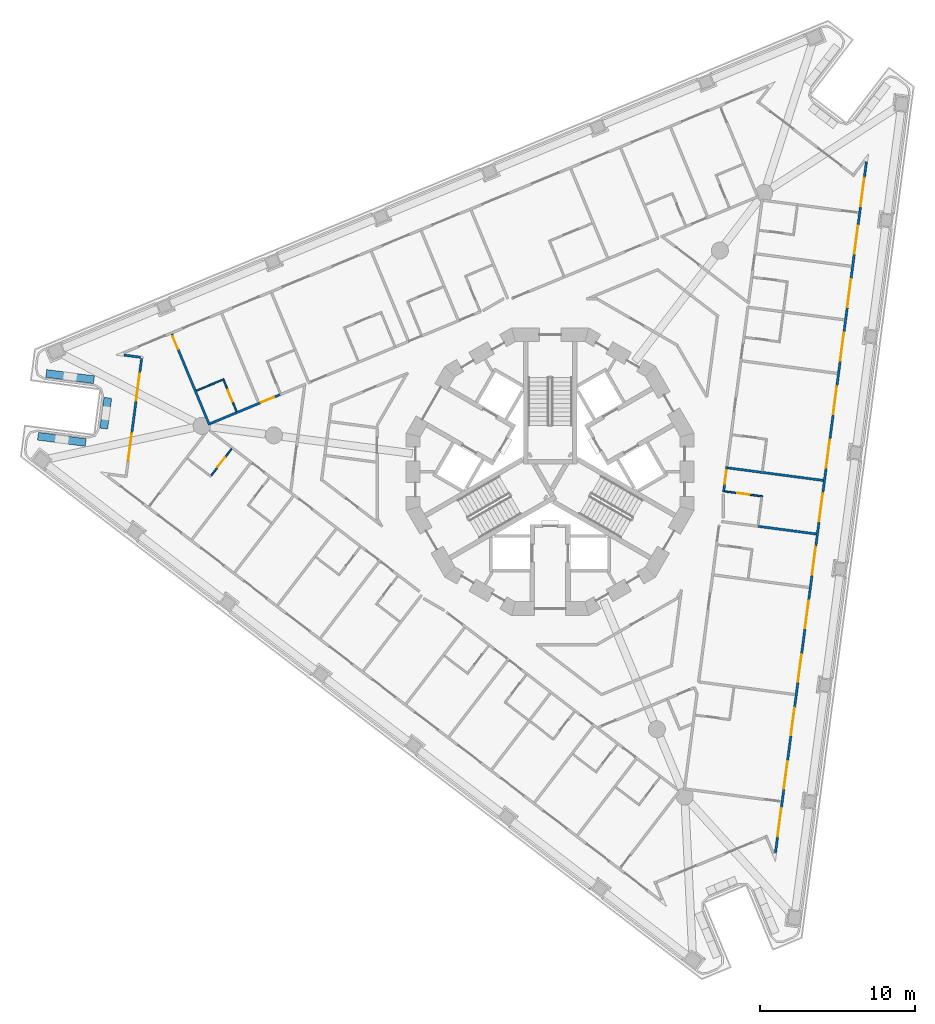
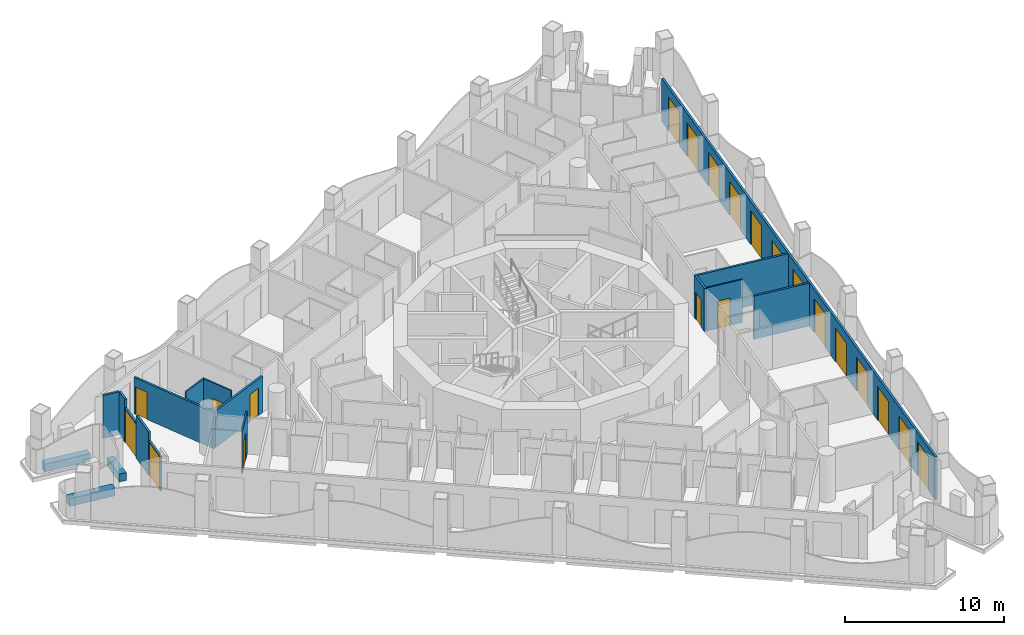
# One storey, part 6 of 18: 21 doors, 18 walls, 21 openings.
"""IFC4 building model written with IfcOpenShell, lengths in metres."""

from ifc_helpers import new_model, si_unit, direction, frame, frame_2d, origin, place, context, subcontext, project, spatial, polyline, rectangle, outline, extrude, material, layer, layer_set, type_object, element, fill, save


model = new_model("IFC4")

# Units and contexts
model_context = context("Model", 3, precision=1e-05, world=origin(), true_north=direction((0.0, 1.0)))
body_context = subcontext(model_context, "Body", "Model", "MODEL_VIEW")
ifc_project = project(units=[si_unit("LENGTHUNIT", "METRE"), si_unit("AREAUNIT", "SQUARE_METRE"), si_unit("VOLUMEUNIT", "CUBIC_METRE"), si_unit("PLANEANGLEUNIT", "RADIAN"), si_unit("MASSUNIT", "GRAM", prefix="KILO")], contexts=[model_context])

# Site, building, storey
site_placement = place(None, origin())
site = spatial("IfcSite", under=ifc_project, at=site_placement, CompositionType="ELEMENT")
building_placement = place(site_placement, origin())
building = spatial("IfcBuilding", under=site, at=building_placement, Name="Trine Commons Tower", CompositionType="ELEMENT")
storey_placement = place(building_placement, frame((0.0, 0.0, 145.800048828125)))
storey = spatial("IfcBuildingStorey", under=building, at=storey_placement, Name="L37", CompositionType="ELEMENT", Elevation=145.800048828125)

# Wall, opening, door
ifc_material_1 = material(Name="Aluminium-framed insulated wall panel", Category="aluminium")
ifc_layer_1 = layer(ifc_material_1, 0.14990234375)
ifc_layer_set_1 = layer_set([ifc_layer_1], Name="Aluminium-framed insulated wall panel")
wall_type_1 = type_object("IfcWallType", Name="Glazed frame wall 150, EI 60", PredefinedType="SOLIDWALL", material=ifc_layer_set_1)
wall_1_placement = place(storey_placement, frame((52.811279296875, 63.154296875, 0.0), z_axis=(0.0, 0.0, 1.0), x_axis=(0.130547578832, 0.991442045538, 0.0)))
wall_1 = element("IfcWall", 1, at=wall_1_placement, inside=storey, type_object=wall_type_1, Name="Glazed frame wall P1.2", PredefinedType="SOLIDWALL", context=body_context, shape_type="SweptSolid", body=[
    extrude(outline(polyline([(0.0, -0.074951171875), (1.89990234375, -0.074951171875), (1.89990234375, 0.074951171875), (0.0, 0.074951171875), (0.0, -0.074951171875)])), origin(), (0.0, 0.0, 1.0), 2.64990234375),
])
opening_1_placement = place(wall_1_placement, frame((0.050048828125, 0.0, 0.0)))
opening_1 = element("IfcOpeningElement", 2, at=opening_1_placement, cuts=wall_1, Name="Opening BD-4P1-01", PredefinedType="OPENING", context=body_context, shape_type="SweptSolid", body=[
    extrude(rectangle(XDim=1.800048828125, YDim=2.60009765625, at=frame_2d((0.89990234375, 1.300048828125))), frame((0.0, 0.0849609375, 0.0), z_axis=(0.0, -1.0, 0.0), x_axis=(1.0, 0.0, 0.0)), (0.0, 0.0, 1.0), 0.169921875),
])
ifc_material_2 = material(Name="Anodised aluminium frame with double glazing", Category="aluminium")
door_type_1 = type_object("IfcDoorType", Name="Sliding loggia door 1800x2600", OperationType="SLIDING_TO_LEFT", PredefinedType="DOOR", material=ifc_material_2)
door_1_placement = place(opening_1_placement, origin())
door_1 = element("IfcDoor", 3, at=door_1_placement, inside=storey, type_object=door_type_1, Name="Loggia door P1 1", OperationType="SLIDING_TO_LEFT", OverallHeight=2.60009765625, OverallWidth=1.800048828125, PredefinedType="DOOR", context=body_context, shape_type="SweptSolid", body=[
    extrude(rectangle(XDim=1.800048828125, YDim=2.60009765625, at=frame_2d((0.89990234375, 1.300048828125))), frame((0.0, 0.02490234375, 0.0), z_axis=(0.0, -1.0, 0.0), x_axis=(1.0, 0.0, 0.0)), (0.0, 0.0, 1.0), 0.050048828125),
])
fill(opening_1, door_1)

# Wall
wall_2_placement = place(storey_placement, frame((53.059326171875, 65.0380859375, 0.0), z_axis=(0.0, 0.0, 1.0), x_axis=(0.130492404742, 0.991449308994, 0.0)))
element("IfcWall", 4, at=wall_2_placement, inside=storey, type_object=wall_type_1, Name="Glazed frame wall P1.3", PredefinedType="SOLIDWALL", context=body_context, shape_type="SweptSolid", body=[
    extrude(outline(polyline([(0.0, -0.074951171875), (2.0, -0.074951171875), (2.0, 0.074951171875), (0.0, 0.074951171875), (0.0, -0.074951171875)])), origin(), (0.0, 0.0, 1.0), 3.300048828125),
])

# Wall, opening, door
wall_3_placement = place(storey_placement, frame((53.3203125, 67.02099609375, 0.0), z_axis=(0.0, 0.0, 1.0), x_axis=(0.130547578832, 0.991442045538, 0.0)))
wall_3 = element("IfcWall", 5, at=wall_3_placement, inside=storey, type_object=wall_type_1, Name="Glazed frame wall P1.4", PredefinedType="SOLIDWALL", context=body_context, shape_type="SweptSolid", body=[
    extrude(outline(polyline([(0.0, -0.074951171875), (1.89990234375, -0.074951171875), (1.89990234375, 0.074951171875), (0.0, 0.074951171875), (0.0, -0.074951171875)])), origin(), (0.0, 0.0, 1.0), 2.64990234375),
])
opening_2_placement = place(wall_3_placement, frame((0.050048828125, 0.0, 0.0)))
opening_2 = element("IfcOpeningElement", 6, at=opening_2_placement, cuts=wall_3, Name="Opening BD-4P1-02", PredefinedType="OPENING", context=body_context, shape_type="SweptSolid", body=[
    extrude(rectangle(XDim=1.800048828125, YDim=2.60009765625, at=frame_2d((0.89990234375, 1.300048828125))), frame((0.0, 0.0849609375, 0.0), z_axis=(0.0, -1.0, 0.0), x_axis=(1.0, 0.0, 0.0)), (0.0, 0.0, 1.0), 0.169921875),
])
door_2_placement = place(opening_2_placement, origin())
door_2 = element("IfcDoor", 7, at=door_2_placement, inside=storey, type_object=door_type_1, Name="Loggia door P1 2", OperationType="SLIDING_TO_LEFT", OverallHeight=2.60009765625, OverallWidth=1.800048828125, PredefinedType="DOOR", context=body_context, shape_type="SweptSolid", body=[
    extrude(rectangle(XDim=1.800048828125, YDim=2.60009765625, at=frame_2d((0.89990234375, 1.300048828125))), frame((0.0, 0.02490234375, 0.0), z_axis=(0.0, -1.0, 0.0), x_axis=(1.0, 0.0, 0.0)), (0.0, 0.0, 1.0), 0.050048828125),
])
fill(opening_2, door_2)

# Walls
wall_4_placement = place(storey_placement, frame((53.568359375, 68.90478515625, 0.0), z_axis=(0.0, 0.0, 1.0), x_axis=(0.130612392842, 0.991433509034, 0.0)))
element("IfcWall", 8, at=wall_4_placement, inside=storey, type_object=wall_type_1, Name="Glazed frame wall P1.5", PredefinedType="SOLIDWALL", context=body_context, shape_type="SweptSolid", body=[
    extrude(outline(polyline([(0.889892578125, 0.074951171875), (0.0, 0.074951171875), (0.0, -0.074951171875), (0.889892578125, -0.074951171875), (0.889892578125, 0.074951171875)])), origin(), (0.0, 0.0, 1.0), 3.300048828125),
])
wall_5_placement = place(storey_placement, frame((53.72900390625, 69.85693359375, 0.0), z_axis=(0.0, 0.0, 1.0), x_axis=(-0.991446880033, 0.130510858064, 0.0)))
element("IfcWall", 9, at=wall_5_placement, inside=storey, type_object=wall_type_1, Name="Glazed frame wall R3", PredefinedType="SOLIDWALL", context=body_context, shape_type="SweptSolid", body=[
    extrude(outline(polyline([(0.110107421875, 0.074951171875), (0.110107421875, -0.074951171875), (1.19580078125, -0.074951171875), (1.19580078125, 0.074951171875), (0.110107421875, 0.074951171875)])), origin(), (0.0, 0.0, 1.0), 3.300048828125),
])

# Wall, openings, doors
wall_6_placement = place(storey_placement, frame((100.387939453125, 82.614013671875, 0.0), z_axis=(0.0, 0.0, 1.0), x_axis=(-0.130522128443, -0.991445396372, 0.0)))
wall_6 = element("IfcWall", 10, at=wall_6_placement, inside=storey, type_object=wall_type_1, Name="Glazed frame wall F2", PredefinedType="SOLIDWALL", context=body_context, shape_type="SweptSolid", body=[
    extrude(outline(polyline([(0.1494140625, 0.074951171875), (0.1494140625, -0.074951171875), (45.056884765625, -0.074951171875), (45.056884765625, 0.074951171875), (0.1494140625, 0.074951171875)])), origin(), (0.0, 0.0, 1.0), 3.300048828125),
])
opening_3_placement = place(wall_6_placement, frame((1.23876953125, 0.0, 0.0)))
opening_3 = element("IfcOpeningElement", 11, at=opening_3_placement, cuts=wall_6, Name="Opening BD-4F2-01", PredefinedType="OPENING", context=body_context, shape_type="SweptSolid", body=[
    extrude(rectangle(XDim=1.800048828125, YDim=2.60009765625, at=frame_2d((0.89990234375, 1.300048828125))), frame((0.0, 0.0849609375, 0.0), z_axis=(0.0, -1.0, 0.0), x_axis=(1.0, 0.0, 0.0)), (0.0, 0.0, 1.0), 0.169921875),
])
opening_4_placement = place(wall_6_placement, frame((4.316162109375, 0.0, 0.0)))
opening_4 = element("IfcOpeningElement", 12, at=opening_4_placement, cuts=wall_6, Name="Opening BD-4F2-02", PredefinedType="OPENING", context=body_context, shape_type="SweptSolid", body=[
    extrude(rectangle(XDim=1.800048828125, YDim=2.60009765625, at=frame_2d((0.89990234375, 1.300048828125))), frame((0.0, 0.0849609375, 0.0), z_axis=(0.0, -1.0, 0.0), x_axis=(1.0, 0.0, 0.0)), (0.0, 0.0, 1.0), 0.169921875),
])
opening_5_placement = place(wall_6_placement, frame((7.79345703125, 0.0, 0.0)))
opening_5 = element("IfcOpeningElement", 13, at=opening_5_placement, cuts=wall_6, Name="Opening BD-4F2-03", PredefinedType="OPENING", context=body_context, shape_type="SweptSolid", body=[
    extrude(rectangle(XDim=1.800048828125, YDim=2.60009765625, at=frame_2d((0.89990234375, 1.300048828125))), frame((0.0, 0.0849609375, 0.0), z_axis=(0.0, -1.0, 0.0), x_axis=(1.0, 0.0, 0.0)), (0.0, 0.0, 1.0), 0.169921875),
])
opening_6_placement = place(wall_6_placement, frame((11.27099609375, 0.0, 0.0)))
opening_6 = element("IfcOpeningElement", 14, at=opening_6_placement, cuts=wall_6, Name="Opening BD-4F2-04", PredefinedType="OPENING", context=body_context, shape_type="SweptSolid", body=[
    extrude(rectangle(XDim=1.800048828125, YDim=2.60009765625, at=frame_2d((0.89990234375, 1.300048828125))), frame((0.0, 0.0849609375, 0.0), z_axis=(0.0, -1.0, 0.0), x_axis=(1.0, 0.0, 0.0)), (0.0, 0.0, 1.0), 0.169921875),
])
opening_7_placement = place(wall_6_placement, frame((14.748291015625, 0.0, 0.0)))
opening_7 = element("IfcOpeningElement", 15, at=opening_7_placement, cuts=wall_6, Name="Opening BD-4F2-05", PredefinedType="OPENING", context=body_context, shape_type="SweptSolid", body=[
    extrude(rectangle(XDim=1.800048828125, YDim=2.60009765625, at=frame_2d((0.89990234375, 1.300048828125))), frame((0.0, 0.0849609375, 0.0), z_axis=(0.0, -1.0, 0.0), x_axis=(1.0, 0.0, 0.0)), (0.0, 0.0, 1.0), 0.169921875),
])
opening_8_placement = place(wall_6_placement, frame((18.2255859375, 0.0, 0.0)))
opening_8 = element("IfcOpeningElement", 16, at=opening_8_placement, cuts=wall_6, Name="Opening BD-4F2-06", PredefinedType="OPENING", context=body_context, shape_type="SweptSolid", body=[
    extrude(rectangle(XDim=1.800048828125, YDim=2.60009765625, at=frame_2d((0.89990234375, 1.300048828125))), frame((0.0, 0.0849609375, 0.0), z_axis=(0.0, -1.0, 0.0), x_axis=(1.0, 0.0, 0.0)), (0.0, 0.0, 1.0), 0.169921875),
])
opening_9_placement = place(wall_6_placement, frame((21.703125, 0.0, 0.0)))
opening_9 = element("IfcOpeningElement", 17, at=opening_9_placement, cuts=wall_6, Name="Opening BD-4F2-07", PredefinedType="OPENING", context=body_context, shape_type="SweptSolid", body=[
    extrude(rectangle(XDim=1.800048828125, YDim=2.60009765625, at=frame_2d((0.89990234375, 1.300048828125))), frame((0.0, 0.0849609375, 0.0), z_axis=(0.0, -1.0, 0.0), x_axis=(1.0, 0.0, 0.0)), (0.0, 0.0, 1.0), 0.169921875),
])
opening_10_placement = place(wall_6_placement, frame((25.180419921875, 0.0, 0.0)))
opening_10 = element("IfcOpeningElement", 18, at=opening_10_placement, cuts=wall_6, Name="Opening BD-4F2-08", PredefinedType="OPENING", context=body_context, shape_type="SweptSolid", body=[
    extrude(rectangle(XDim=1.800048828125, YDim=2.60009765625, at=frame_2d((0.89990234375, 1.300048828125))), frame((0.0, 0.0849609375, 0.0), z_axis=(0.0, -1.0, 0.0), x_axis=(1.0, 0.0, 0.0)), (0.0, 0.0, 1.0), 0.169921875),
])
opening_11_placement = place(wall_6_placement, frame((28.657958984375, 0.0, 0.0)))
opening_11 = element("IfcOpeningElement", 19, at=opening_11_placement, cuts=wall_6, Name="Opening BD-4F2-09", PredefinedType="OPENING", context=body_context, shape_type="SweptSolid", body=[
    extrude(rectangle(XDim=1.800048828125, YDim=2.60009765625, at=frame_2d((0.89990234375, 1.300048828125))), frame((0.0, 0.0849609375, 0.0), z_axis=(0.0, -1.0, 0.0), x_axis=(1.0, 0.0, 0.0)), (0.0, 0.0, 1.0), 0.169921875),
])
opening_12_placement = place(wall_6_placement, frame((32.13525390625, 0.0, 0.0)))
opening_12 = element("IfcOpeningElement", 20, at=opening_12_placement, cuts=wall_6, Name="Opening BD-4F2-10", PredefinedType="OPENING", context=body_context, shape_type="SweptSolid", body=[
    extrude(rectangle(XDim=1.800048828125, YDim=2.60009765625, at=frame_2d((0.89990234375, 1.300048828125))), frame((0.0, 0.0849609375, 0.0), z_axis=(0.0, -1.0, 0.0), x_axis=(1.0, 0.0, 0.0)), (0.0, 0.0, 1.0), 0.169921875),
])
opening_13_placement = place(wall_6_placement, frame((35.61279296875, 0.0, 0.0)))
opening_13 = element("IfcOpeningElement", 21, at=opening_13_placement, cuts=wall_6, Name="Opening BD-4F2-11", PredefinedType="OPENING", context=body_context, shape_type="SweptSolid", body=[
    extrude(rectangle(XDim=1.800048828125, YDim=2.60009765625, at=frame_2d((0.89990234375, 1.300048828125))), frame((0.0, 0.0849609375, 0.0), z_axis=(0.0, -1.0, 0.0), x_axis=(1.0, 0.0, 0.0)), (0.0, 0.0, 1.0), 0.169921875),
])
opening_14_placement = place(wall_6_placement, frame((39.090087890625, 0.0, 0.0)))
opening_14 = element("IfcOpeningElement", 22, at=opening_14_placement, cuts=wall_6, Name="Opening BD-4F2-12", PredefinedType="OPENING", context=body_context, shape_type="SweptSolid", body=[
    extrude(rectangle(XDim=1.800048828125, YDim=2.60009765625, at=frame_2d((0.89990234375, 1.300048828125))), frame((0.0, 0.0849609375, 0.0), z_axis=(0.0, -1.0, 0.0), x_axis=(1.0, 0.0, 0.0)), (0.0, 0.0, 1.0), 0.169921875),
])
opening_15_placement = place(wall_6_placement, frame((42.16748046875, 0.0, 0.0)))
opening_15 = element("IfcOpeningElement", 23, at=opening_15_placement, cuts=wall_6, Name="Opening BD-4F2-13", PredefinedType="OPENING", context=body_context, shape_type="SweptSolid", body=[
    extrude(rectangle(XDim=1.800048828125, YDim=2.60009765625, at=frame_2d((0.89990234375, 1.300048828125))), frame((0.0, 0.0849609375, 0.0), z_axis=(0.0, -1.0, 0.0), x_axis=(1.0, 0.0, 0.0)), (0.0, 0.0, 1.0), 0.169921875),
])
door_3_placement = place(opening_3_placement, origin())
door_3 = element("IfcDoor", 24, at=door_3_placement, inside=storey, type_object=door_type_1, Name="Loggia door F2 1", OperationType="SLIDING_TO_LEFT", OverallHeight=2.60009765625, OverallWidth=1.800048828125, PredefinedType="DOOR", context=body_context, shape_type="SweptSolid", body=[
    extrude(rectangle(XDim=1.800048828125, YDim=2.60009765625, at=frame_2d((0.89990234375, 1.300048828125))), frame((0.0, 0.02490234375, 0.0), z_axis=(0.0, -1.0, 0.0), x_axis=(1.0, 0.0, 0.0)), (0.0, 0.0, 1.0), 0.050048828125),
])
fill(opening_3, door_3)
door_4_placement = place(opening_4_placement, origin())
door_4 = element("IfcDoor", 25, at=door_4_placement, inside=storey, type_object=door_type_1, Name="Loggia door F2 2", OperationType="SLIDING_TO_LEFT", OverallHeight=2.60009765625, OverallWidth=1.800048828125, PredefinedType="DOOR", context=body_context, shape_type="SweptSolid", body=[
    extrude(rectangle(XDim=1.800048828125, YDim=2.60009765625, at=frame_2d((0.89990234375, 1.300048828125))), frame((0.0, 0.02490234375, 0.0), z_axis=(0.0, -1.0, 0.0), x_axis=(1.0, 0.0, 0.0)), (0.0, 0.0, 1.0), 0.050048828125),
])
fill(opening_4, door_4)
door_5_placement = place(opening_5_placement, origin())
door_5 = element("IfcDoor", 26, at=door_5_placement, inside=storey, type_object=door_type_1, Name="Loggia door F2 3", OperationType="SLIDING_TO_LEFT", OverallHeight=2.60009765625, OverallWidth=1.800048828125, PredefinedType="DOOR", context=body_context, shape_type="SweptSolid", body=[
    extrude(rectangle(XDim=1.800048828125, YDim=2.60009765625, at=frame_2d((0.89990234375, 1.300048828125))), frame((0.0, 0.02490234375, 0.0), z_axis=(0.0, -1.0, 0.0), x_axis=(1.0, 0.0, 0.0)), (0.0, 0.0, 1.0), 0.050048828125),
])
fill(opening_5, door_5)
door_6_placement = place(opening_6_placement, origin())
door_6 = element("IfcDoor", 27, at=door_6_placement, inside=storey, type_object=door_type_1, Name="Loggia door F2 4", OperationType="SLIDING_TO_LEFT", OverallHeight=2.60009765625, OverallWidth=1.800048828125, PredefinedType="DOOR", context=body_context, shape_type="SweptSolid", body=[
    extrude(rectangle(XDim=1.800048828125, YDim=2.60009765625, at=frame_2d((0.89990234375, 1.300048828125))), frame((0.0, 0.02490234375, 0.0), z_axis=(0.0, -1.0, 0.0), x_axis=(1.0, 0.0, 0.0)), (0.0, 0.0, 1.0), 0.050048828125),
])
fill(opening_6, door_6)
door_7_placement = place(opening_7_placement, origin())
door_7 = element("IfcDoor", 28, at=door_7_placement, inside=storey, type_object=door_type_1, Name="Loggia door F2 5", OperationType="SLIDING_TO_LEFT", OverallHeight=2.60009765625, OverallWidth=1.800048828125, PredefinedType="DOOR", context=body_context, shape_type="SweptSolid", body=[
    extrude(rectangle(XDim=1.800048828125, YDim=2.60009765625, at=frame_2d((0.89990234375, 1.300048828125))), frame((0.0, 0.02490234375, 0.0), z_axis=(0.0, -1.0, 0.0), x_axis=(1.0, 0.0, 0.0)), (0.0, 0.0, 1.0), 0.050048828125),
])
fill(opening_7, door_7)
door_8_placement = place(opening_8_placement, origin())
door_8 = element("IfcDoor", 29, at=door_8_placement, inside=storey, type_object=door_type_1, Name="Loggia door F2 6", OperationType="SLIDING_TO_LEFT", OverallHeight=2.60009765625, OverallWidth=1.800048828125, PredefinedType="DOOR", context=body_context, shape_type="SweptSolid", body=[
    extrude(rectangle(XDim=1.800048828125, YDim=2.60009765625, at=frame_2d((0.89990234375, 1.300048828125))), frame((0.0, 0.02490234375, 0.0), z_axis=(0.0, -1.0, 0.0), x_axis=(1.0, 0.0, 0.0)), (0.0, 0.0, 1.0), 0.050048828125),
])
fill(opening_8, door_8)
door_9_placement = place(opening_9_placement, origin())
door_9 = element("IfcDoor", 30, at=door_9_placement, inside=storey, type_object=door_type_1, Name="Loggia door F2 7", OperationType="SLIDING_TO_LEFT", OverallHeight=2.60009765625, OverallWidth=1.800048828125, PredefinedType="DOOR", context=body_context, shape_type="SweptSolid", body=[
    extrude(rectangle(XDim=1.800048828125, YDim=2.60009765625, at=frame_2d((0.89990234375, 1.300048828125))), frame((0.0, 0.02490234375, 0.0), z_axis=(0.0, -1.0, 0.0), x_axis=(1.0, 0.0, 0.0)), (0.0, 0.0, 1.0), 0.050048828125),
])
fill(opening_9, door_9)
door_10_placement = place(opening_10_placement, origin())
door_10 = element("IfcDoor", 31, at=door_10_placement, inside=storey, type_object=door_type_1, Name="Loggia door F2 8", OperationType="SLIDING_TO_LEFT", OverallHeight=2.60009765625, OverallWidth=1.800048828125, PredefinedType="DOOR", context=body_context, shape_type="SweptSolid", body=[
    extrude(rectangle(XDim=1.800048828125, YDim=2.60009765625, at=frame_2d((0.89990234375, 1.300048828125))), frame((0.0, 0.02490234375, 0.0), z_axis=(0.0, -1.0, 0.0), x_axis=(1.0, 0.0, 0.0)), (0.0, 0.0, 1.0), 0.050048828125),
])
fill(opening_10, door_10)
door_11_placement = place(opening_11_placement, origin())
door_11 = element("IfcDoor", 32, at=door_11_placement, inside=storey, type_object=door_type_1, Name="Loggia door F2 9", OperationType="SLIDING_TO_LEFT", OverallHeight=2.60009765625, OverallWidth=1.800048828125, PredefinedType="DOOR", context=body_context, shape_type="SweptSolid", body=[
    extrude(rectangle(XDim=1.800048828125, YDim=2.60009765625, at=frame_2d((0.89990234375, 1.300048828125))), frame((0.0, 0.02490234375, 0.0), z_axis=(0.0, -1.0, 0.0), x_axis=(1.0, 0.0, 0.0)), (0.0, 0.0, 1.0), 0.050048828125),
])
fill(opening_11, door_11)
door_12_placement = place(opening_12_placement, origin())
door_12 = element("IfcDoor", 33, at=door_12_placement, inside=storey, type_object=door_type_1, Name="Loggia door F2 10", OperationType="SLIDING_TO_LEFT", OverallHeight=2.60009765625, OverallWidth=1.800048828125, PredefinedType="DOOR", context=body_context, shape_type="SweptSolid", body=[
    extrude(rectangle(XDim=1.800048828125, YDim=2.60009765625, at=frame_2d((0.89990234375, 1.300048828125))), frame((0.0, 0.02490234375, 0.0), z_axis=(0.0, -1.0, 0.0), x_axis=(1.0, 0.0, 0.0)), (0.0, 0.0, 1.0), 0.050048828125),
])
fill(opening_12, door_12)
door_13_placement = place(opening_13_placement, origin())
door_13 = element("IfcDoor", 34, at=door_13_placement, inside=storey, type_object=door_type_1, Name="Loggia door F2 11", OperationType="SLIDING_TO_LEFT", OverallHeight=2.60009765625, OverallWidth=1.800048828125, PredefinedType="DOOR", context=body_context, shape_type="SweptSolid", body=[
    extrude(rectangle(XDim=1.800048828125, YDim=2.60009765625, at=frame_2d((0.89990234375, 1.300048828125))), frame((0.0, 0.02490234375, 0.0), z_axis=(0.0, -1.0, 0.0), x_axis=(1.0, 0.0, 0.0)), (0.0, 0.0, 1.0), 0.050048828125),
])
fill(opening_13, door_13)
door_14_placement = place(opening_14_placement, origin())
door_14 = element("IfcDoor", 35, at=door_14_placement, inside=storey, type_object=door_type_1, Name="Loggia door F2 12", OperationType="SLIDING_TO_LEFT", OverallHeight=2.60009765625, OverallWidth=1.800048828125, PredefinedType="DOOR", context=body_context, shape_type="SweptSolid", body=[
    extrude(rectangle(XDim=1.800048828125, YDim=2.60009765625, at=frame_2d((0.89990234375, 1.300048828125))), frame((0.0, 0.02490234375, 0.0), z_axis=(0.0, -1.0, 0.0), x_axis=(1.0, 0.0, 0.0)), (0.0, 0.0, 1.0), 0.050048828125),
])
fill(opening_14, door_14)
door_15_placement = place(opening_15_placement, origin())
door_15 = element("IfcDoor", 36, at=door_15_placement, inside=storey, type_object=door_type_1, Name="Loggia door F2 13", OperationType="SLIDING_TO_LEFT", OverallHeight=2.60009765625, OverallWidth=1.800048828125, PredefinedType="DOOR", context=body_context, shape_type="SweptSolid", body=[
    extrude(rectangle(XDim=1.800048828125, YDim=2.60009765625, at=frame_2d((0.89990234375, 1.300048828125))), frame((0.0, 0.02490234375, 0.0), z_axis=(0.0, -1.0, 0.0), x_axis=(1.0, 0.0, 0.0)), (0.0, 0.0, 1.0), 0.050048828125),
])
fill(opening_15, door_15)

# Walls
ifc_material_3 = material(Name="Planter trough, precast concrete C40/50", Category="concrete")
ifc_layer_2 = layer(ifc_material_3, 0.5)
ifc_layer_set_2 = layer_set([ifc_layer_2], Name="Planter trough, precast concrete C40/50")
wall_type_2 = type_object("IfcWallType", Name="Planter trough 500x600", PredefinedType="PARAPET", material=ifc_layer_set_2)
wall_7_placement = place(storey_placement, frame((47.009765625, 64.78564453125, 0.0), z_axis=(0.0, 0.0, 1.0), x_axis=(0.991448665422, -0.130497294353, 0.0)))
element("IfcWall", 37, at=wall_7_placement, inside=storey, type_object=wall_type_2, Name="Planter 1", PredefinedType="PARAPET", context=body_context, shape_type="SweptSolid", body=[
    extrude(rectangle(XDim=3.10009765625, YDim=0.5, at=frame_2d((1.550048828125, 0.0))), origin(), (0.0, 0.0, 1.0), 0.599853515625),
])
wall_8_placement = place(storey_placement, frame((51.25, 65.2763671875, 0.0), z_axis=(0.0, 0.0, 1.0), x_axis=(0.130492404742, 0.991449308994, 0.0)))
element("IfcWall", 38, at=wall_8_placement, inside=storey, type_object=wall_type_2, Name="Planter 2", PredefinedType="PARAPET", context=body_context, shape_type="SweptSolid", body=[
    extrude(rectangle(XDim=2.0, YDim=0.5, at=frame_2d((1.0, 0.0))), origin(), (0.0, 0.0, 1.0), 0.599853515625),
])
wall_9_placement = place(storey_placement, frame((50.615478515625, 68.426025390625, 0.0), z_axis=(0.0, 0.0, 1.0), x_axis=(-0.991437130155, 0.130584903225, 0.0)))
element("IfcWall", 39, at=wall_9_placement, inside=storey, type_object=wall_type_2, Name="Planter 3", PredefinedType="PARAPET", context=body_context, shape_type="SweptSolid", body=[
    extrude(rectangle(XDim=3.099853515625, YDim=0.5, at=frame_2d((1.5498046875, 0.0))), origin(), (0.0, 0.0, 1.0), 0.599853515625),
])

# Wall, opening, door
ifc_material_4 = material(Name="Gypsum plasterboard on steel stud", Category="steel")
ifc_layer_3 = layer(ifc_material_4, 0.14990234375)
ifc_layer_set_3 = layer_set([ifc_layer_3], Name="Gypsum plasterboard on steel stud")
wall_type_3 = type_object("IfcWallType", Name="Unit and corridor wall 150 mm, EI 60", PredefinedType="PARTITIONING", material=ifc_layer_set_3)
wall_10_placement = place(storey_placement, frame((55.62841796875, 71.361083984375, 0.0), z_axis=(0.0, 0.0, 1.0), x_axis=(0.38260330851, -0.923912716828, 0.0)))
wall_10 = element("IfcWall", 40, at=wall_10_placement, inside=storey, type_object=wall_type_3, Name="Partition 002", PredefinedType="PARTITIONING", context=body_context, shape_type="SweptSolid", body=[
    extrude(rectangle(XDim=6.343994140625, YDim=0.14990234375, at=frame_2d((3.171875, 0.0))), origin(), (0.0, 0.0, 1.0), 2.800048828125),
])
opening_16_placement = place(wall_10_placement, frame((0.14990234375, 0.0, 0.0)))
opening_16 = element("IfcOpeningElement", 41, at=opening_16_placement, cuts=wall_10, Name="Opening D-4C05", PredefinedType="OPENING", context=body_context, shape_type="SweptSolid", body=[
    extrude(rectangle(XDim=0.89990234375, YDim=2.10009765625, at=frame_2d((0.449951171875, 1.050048828125))), frame((0.0, 0.0849609375, 0.0), z_axis=(0.0, -1.0, 0.0), x_axis=(1.0, 0.0, 0.0)), (0.0, 0.0, 1.0), 0.169921875),
])
ifc_material_5 = material(Name="Timber fire door set", Category="wood")
door_type_2 = type_object("IfcDoorType", Name="Bedroom door 900 x 2100, FD30S", OperationType="NOTDEFINED", PredefinedType="DOOR", material=ifc_material_5)
door_16_placement = place(opening_16_placement, origin())
door_16 = element("IfcDoor", 42, at=door_16_placement, inside=storey, type_object=door_type_2, Name="Door D-4C05", OperationType="SINGLE_SWING_LEFT", OverallHeight=2.10009765625, OverallWidth=0.89990234375, PredefinedType="DOOR", context=body_context, shape_type="SweptSolid", body=[
    extrude(rectangle(XDim=0.89990234375, YDim=2.10009765625, at=frame_2d((0.449951171875, 1.050048828125))), frame((0.0, 0.02490234375, 0.0), z_axis=(0.0, -1.0, 0.0), x_axis=(1.0, 0.0, 0.0)), (0.0, 0.0, 1.0), 0.050048828125),
])
fill(opening_16, door_16)

wall_11_placement = place(storey_placement, frame((58.09619140625, 65.59765625, 0.0), z_axis=(0.0, 0.0, 1.0), x_axis=(0.923872707651, 0.382699908621, 0.0)))
wall_11 = element("IfcWall", 43, at=wall_11_placement, inside=storey, type_object=wall_type_3, Name="Partition 007", PredefinedType="PARTITIONING", context=body_context, shape_type="SweptSolid", body=[
    extrude(rectangle(XDim=4.9345703125, YDim=0.14990234375, at=frame_2d((2.46728515625, 0.0))), origin(), (0.0, 0.0, 1.0), 2.800048828125),
])
opening_17_placement = place(wall_11_placement, frame((3.552734375, 0.0, 0.0)))
opening_17 = element("IfcOpeningElement", 44, at=opening_17_placement, cuts=wall_11, Name="Opening D-4C06", PredefinedType="OPENING", context=body_context, shape_type="SweptSolid", body=[
    extrude(rectangle(XDim=0.89990234375, YDim=2.10009765625, at=frame_2d((0.449951171875, 1.050048828125))), frame((0.0, 0.0849609375, 0.0), z_axis=(0.0, -1.0, 0.0), x_axis=(1.0, 0.0, 0.0)), (0.0, 0.0, 1.0), 0.169921875),
])
door_17_placement = place(opening_17_placement, origin())
door_17 = element("IfcDoor", 45, at=door_17_placement, inside=storey, type_object=door_type_2, Name="Door D-4C06", OperationType="SINGLE_SWING_RIGHT", OverallHeight=2.10009765625, OverallWidth=0.89990234375, PredefinedType="DOOR", context=body_context, shape_type="SweptSolid", body=[
    extrude(rectangle(XDim=0.89990234375, YDim=2.10009765625, at=frame_2d((0.449951171875, 1.050048828125))), frame((0.0, 0.02490234375, 0.0), z_axis=(0.0, -1.0, 0.0), x_axis=(1.0, 0.0, 0.0)), (0.0, 0.0, 1.0), 0.050048828125),
])
fill(opening_17, door_17)

wall_12_placement = place(storey_placement, frame((91.16845703125, 61.1884765625, 0.0), z_axis=(0.0, 0.0, 1.0), x_axis=(0.130294737563, 0.991475305473, 0.0)))
wall_12 = element("IfcWall", 46, at=wall_12_placement, inside=storey, type_object=wall_type_3, Name="Partition 125", PredefinedType="PARTITIONING", context=body_context, shape_type="SweptSolid", body=[
    extrude(rectangle(XDim=1.66015625, YDim=0.14990234375, at=frame_2d((0.830078125, 0.0))), origin(), (0.0, 0.0, 1.0), 3.300048828125),
])
opening_18_placement = place(wall_12_placement, frame((0.531005859375, 0.0, 0.0)))
opening_18 = element("IfcOpeningElement", 47, at=opening_18_placement, cuts=wall_12, Name="Opening D-4C18", PredefinedType="OPENING", context=body_context, shape_type="SweptSolid", body=[
    extrude(rectangle(XDim=0.89990234375, YDim=2.10009765625, at=frame_2d((0.449951171875, 1.050048828125))), frame((0.0, 0.0849609375, 0.0), z_axis=(0.0, -1.0, 0.0), x_axis=(1.0, 0.0, 0.0)), (0.0, 0.0, 1.0), 0.169921875),
])
door_18_placement = place(opening_18_placement, frame((0.89990234375, 0.0, 0.0), z_axis=(0.0, 0.0, 1.0), x_axis=(-1.0, 0.0, 0.0)))
door_18 = element("IfcDoor", 48, at=door_18_placement, inside=storey, type_object=door_type_2, Name="Door D-4C18", OperationType="SINGLE_SWING_LEFT", OverallHeight=2.10009765625, OverallWidth=0.89990234375, PredefinedType="DOOR", context=body_context, shape_type="SweptSolid", body=[
    extrude(rectangle(XDim=0.89990234375, YDim=2.10009765625, at=frame_2d((0.449951171875, 1.050048828125))), frame((0.0, 0.02490234375, 0.0), z_axis=(0.0, -1.0, 0.0), x_axis=(1.0, 0.0, 0.0)), (0.0, 0.0, 1.0), 0.050048828125),
])
fill(opening_18, door_18)

# Walls
wall_13_placement = place(storey_placement, frame((91.449462890625, 62.74609375, 0.0), z_axis=(0.0, 0.0, 1.0), x_axis=(0.991457381012, -0.130431060858, 0.0)))
element("IfcWall", 49, at=wall_13_placement, inside=storey, type_object=wall_type_3, Name="Partition 128", PredefinedType="PARTITIONING", context=body_context, shape_type="SweptSolid", body=[
    extrude(rectangle(XDim=6.19384765625, YDim=0.14990234375, at=frame_2d((3.096923828125, 0.0))), origin(), (0.0, 0.0, 1.0), 3.300048828125),
])
wall_14_placement = place(storey_placement, frame((93.3798828125, 58.985107421875, 0.0), z_axis=(0.0, 0.0, 1.0), x_axis=(0.991433227535, -0.130614529586, 0.0)))
element("IfcWall", 50, at=wall_14_placement, inside=storey, type_object=wall_type_3, Name="Partition 144", PredefinedType="PARTITIONING", context=body_context, shape_type="SweptSolid", body=[
    extrude(rectangle(XDim=3.788818359375, YDim=0.14990234375, at=frame_2d((1.89453125, 0.0))), origin(), (0.0, 0.0, 1.0), 3.300048828125),
])
ifc_layer_4 = layer(ifc_material_4, 0.10009765625)
ifc_layer_set_4 = layer_set([ifc_layer_4], Name="Gypsum plasterboard on steel stud")
wall_type_4 = type_object("IfcWallType", Name="Unit partition 100 mm, no rating", PredefinedType="PARTITIONING", material=ifc_layer_set_4)
wall_15_placement = place(storey_placement, frame((57.21630859375, 67.72265625, 0.0), z_axis=(0.0, 0.0, 1.0), x_axis=(0.923967386518, 0.38247126513, 0.0)))
element("IfcWall", 51, at=wall_15_placement, inside=storey, type_object=wall_type_4, Name="Partition 005", PredefinedType="PARTITIONING", context=body_context, shape_type="SweptSolid", body=[
    extrude(rectangle(XDim=1.92529296875, YDim=0.10009765625, at=frame_2d((0.962646484375, 0.0))), origin(), (0.0, 0.0, 1.0), 3.300048828125),
])

# Wall, opening, door
wall_16_placement = place(storey_placement, frame((58.158447265625, 62.250732421875, 0.0), z_axis=(0.0, 0.0, 1.0), x_axis=(0.609173579823, 0.793036915689, 0.0)))
wall_16 = element("IfcWall", 52, at=wall_16_placement, inside=storey, type_object=wall_type_4, Name="Partition 008", PredefinedType="PARTITIONING", context=body_context, shape_type="SweptSolid", body=[
    extrude(rectangle(XDim=2.175048828125, YDim=0.10009765625, at=frame_2d((1.08740234375, 0.0))), origin(), (0.0, 0.0, 1.0), 3.300048828125),
])
opening_19_placement = place(wall_16_placement, frame((0.6875, 0.0, 0.0)))
opening_19 = element("IfcOpeningElement", 53, at=opening_19_placement, cuts=wall_16, Name="Opening D-4C61", PredefinedType="OPENING", context=body_context, shape_type="SweptSolid", body=[
    extrude(rectangle(XDim=0.800048828125, YDim=2.10009765625, at=frame_2d((0.39990234375, 1.050048828125))), frame((0.0, 0.06005859375, 0.0), z_axis=(0.0, -1.0, 0.0), x_axis=(1.0, 0.0, 0.0)), (0.0, 0.0, 1.0), 0.1201171875),
])
ifc_material_6 = material(Name="Painted timber", Category="wood")
door_type_3 = type_object("IfcDoorType", Name="Internal door 800 x 2100, NOT RATED", OperationType="NOTDEFINED", PredefinedType="DOOR", material=ifc_material_6)
door_19_placement = place(opening_19_placement, frame((0.800048828125, 0.0, 0.0), z_axis=(0.0, 0.0, 1.0), x_axis=(-1.0, 0.0, 0.0)))
door_19 = element("IfcDoor", 54, at=door_19_placement, inside=storey, type_object=door_type_3, Name="Door D-4C61", OperationType="SINGLE_SWING_LEFT", OverallHeight=2.10009765625, OverallWidth=0.800048828125, PredefinedType="DOOR", context=body_context, shape_type="SweptSolid", body=[
    extrude(rectangle(XDim=0.800048828125, YDim=2.10009765625, at=frame_2d((0.39990234375, 1.050048828125))), frame((0.0, 0.02490234375, 0.0), z_axis=(0.0, -1.0, 0.0), x_axis=(1.0, 0.0, 0.0)), (0.0, 0.0, 1.0), 0.050048828125),
])
fill(opening_19, door_19)

wall_17_placement = place(storey_placement, frame((58.968017578125, 68.393798828125, 0.0), z_axis=(0.0, 0.0, 1.0), x_axis=(0.382645891508, -0.92389508155, 0.0)))
wall_17 = element("IfcWall", 55, at=wall_17_placement, inside=storey, type_object=wall_type_4, Name="Partition 010", PredefinedType="PARTITIONING", context=body_context, shape_type="SweptSolid", body=[
    extrude(rectangle(XDim=2.175048828125, YDim=0.10009765625, at=frame_2d((1.08740234375, 0.0))), origin(), (0.0, 0.0, 1.0), 3.300048828125),
])
opening_20_placement = place(wall_17_placement, frame((0.6875, 0.0, 0.0)))
opening_20 = element("IfcOpeningElement", 56, at=opening_20_placement, cuts=wall_17, Name="Opening D-4C38", PredefinedType="OPENING", context=body_context, shape_type="SweptSolid", body=[
    extrude(rectangle(XDim=0.800048828125, YDim=2.10009765625, at=frame_2d((0.39990234375, 1.050048828125))), frame((0.0, 0.06005859375, 0.0), z_axis=(0.0, -1.0, 0.0), x_axis=(1.0, 0.0, 0.0)), (0.0, 0.0, 1.0), 0.1201171875),
])
door_20_placement = place(opening_20_placement, origin())
door_20 = element("IfcDoor", 57, at=door_20_placement, inside=storey, type_object=door_type_3, Name="Door D-4C38", OperationType="SINGLE_SWING_RIGHT", OverallHeight=2.10009765625, OverallWidth=0.800048828125, PredefinedType="DOOR", context=body_context, shape_type="SweptSolid", body=[
    extrude(rectangle(XDim=0.800048828125, YDim=2.10009765625, at=frame_2d((0.39990234375, 1.050048828125))), frame((0.0, 0.02490234375, 0.0), z_axis=(0.0, -1.0, 0.0), x_axis=(1.0, 0.0, 0.0)), (0.0, 0.0, 1.0), 0.050048828125),
])
fill(opening_20, door_20)

wall_18_placement = place(storey_placement, frame((91.24951171875, 61.232177734375, 0.0), z_axis=(0.0, 0.0, 1.0), x_axis=(0.991446173562, -0.130516224773, 0.0)))
wall_18 = element("IfcWall", 58, at=wall_18_placement, inside=storey, type_object=wall_type_4, Name="Partition 126", PredefinedType="PARTITIONING", context=body_context, shape_type="SweptSolid", body=[
    extrude(rectangle(XDim=2.4560546875, YDim=0.10009765625, at=frame_2d((1.22802734375, 0.0))), origin(), (0.0, 0.0, 1.0), 3.300048828125),
])
opening_21_placement = place(wall_18_placement, frame((0.802978515625, 0.0, 0.0)))
opening_21 = element("IfcOpeningElement", 59, at=opening_21_placement, cuts=wall_18, Name="Opening D-4C50", PredefinedType="OPENING", context=body_context, shape_type="SweptSolid", body=[
    extrude(rectangle(XDim=0.800048828125, YDim=2.10009765625, at=frame_2d((0.39990234375, 1.050048828125))), frame((0.0, 0.06005859375, 0.0), z_axis=(0.0, -1.0, 0.0), x_axis=(1.0, 0.0, 0.0)), (0.0, 0.0, 1.0), 0.1201171875),
])
door_21_placement = place(opening_21_placement, origin())
door_21 = element("IfcDoor", 60, at=door_21_placement, inside=storey, type_object=door_type_3, Name="Door D-4C50", OperationType="SINGLE_SWING_LEFT", OverallHeight=2.10009765625, OverallWidth=0.800048828125, PredefinedType="DOOR", context=body_context, shape_type="SweptSolid", body=[
    extrude(rectangle(XDim=0.800048828125, YDim=2.10009765625, at=frame_2d((0.39990234375, 1.050048828125))), frame((0.0, 0.02490234375, 0.0), z_axis=(0.0, -1.0, 0.0), x_axis=(1.0, 0.0, 0.0)), (0.0, 0.0, 1.0), 0.050048828125),
])
fill(opening_21, door_21)

save(model, "model.ifc")
